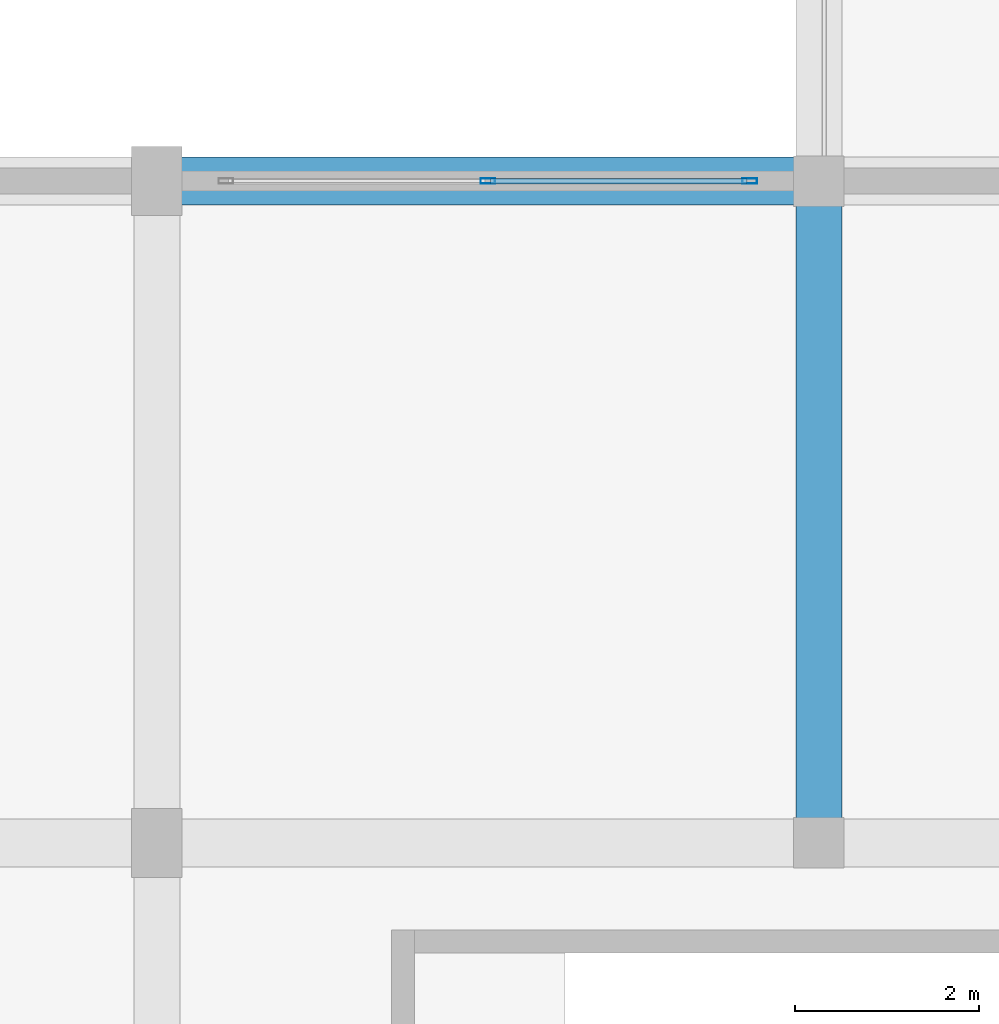
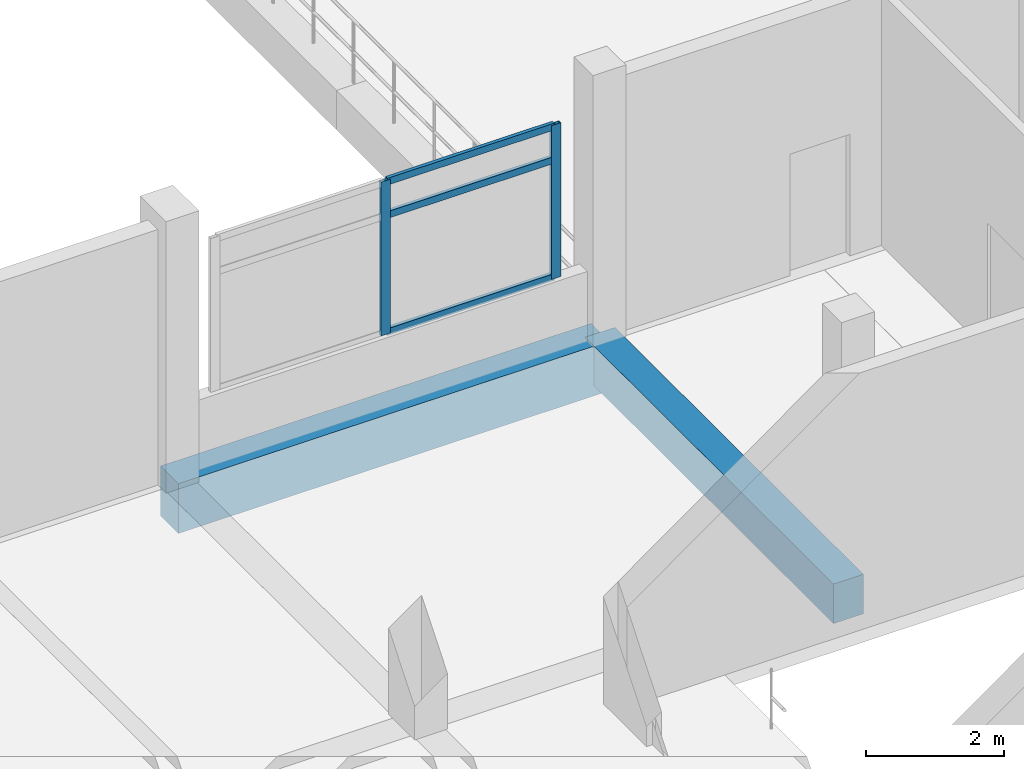
# One storey, part 91 of 140: 5 members, 2 beams, 1 element without a shape of its own.
"""IFC4 building model written with IfcOpenShell, lengths in metres."""

from ifc_helpers import new_model, si_unit, direction, frame, origin, origin_2d, place, context, subcontext, project, spatial, rectangle, hollow_rectangle, extrude, material, layer, layer_set, material_profile, profile_set, type_object, element, aggregate, save


model = new_model("IFC4")

# Units and contexts
model_context = context("Model", 3, precision=1e-05, world=origin(), true_north=direction((0.0, 1.0)))
body_context = subcontext(model_context, "Body", "Model", "MODEL_VIEW")
ifc_project = project(units=[si_unit("LENGTHUNIT", "METRE"), si_unit("AREAUNIT", "SQUARE_METRE"), si_unit("VOLUMEUNIT", "CUBIC_METRE"), si_unit("PLANEANGLEUNIT", "RADIAN"), si_unit("MASSUNIT", "GRAM", prefix="KILO")], contexts=[model_context])

# Site, building, storey
site_placement = place(None, origin())
site = spatial("IfcSite", under=ifc_project, at=site_placement, CompositionType="ELEMENT")
building_placement = place(site_placement, origin())
building = spatial("IfcBuilding", under=site, at=building_placement, Name="Seraya Terrace Polytechnic", CompositionType="ELEMENT")
storey_placement = place(building_placement, frame((0.0, 0.0, 9.60009765625)))
storey = spatial("IfcBuildingStorey", under=building, at=storey_placement, Name="L02", CompositionType="ELEMENT", Elevation=9.60009765625)

# Beams
ifc_material_1 = material(Name="Concrete C40/50", Category="concrete")
ifc_material_profile_1 = material_profile(ifc_material_1, rectangle(XDim=0.52001953125, YDim=0.8798828125, at=origin_2d()), Name="RC 520x880")
ifc_profile_set_1 = profile_set([ifc_material_profile_1], Name="Concrete C40/50")
beam_type_1 = type_object("IfcBeamType", Name="BM-04", PredefinedType="BEAM", material=ifc_profile_set_1)
beam_1_placement = place(storey_placement, frame((136.800048828125, 36.0, -0.440185546875), z_axis=(1.0, 0.0, 0.0), x_axis=(0.0, 1.0, 0.0)))
element("IfcBeam", 1, at=beam_1_placement, inside=storey, type_object=beam_type_1, Name="Beam BM-04 L02 X (136.8..144.0, 36.0)", PredefinedType="BEAM", context=body_context, shape_type="SweptSolid", body=[
    extrude(rectangle(XDim=0.52001953125, YDim=0.8798828125, at=origin_2d()), origin(), (0.0, 0.0, 1.0), 7.199951171875),
])
ifc_material_profile_2 = material_profile(ifc_material_1, rectangle(XDim=0.5, YDim=0.699951171875, at=origin_2d()), Name="RC 500x700")
ifc_profile_set_2 = profile_set([ifc_material_profile_2], Name="Concrete C40/50")
beam_type_2 = type_object("IfcBeamType", Name="BM-07", PredefinedType="BEAM", material=ifc_profile_set_2)
beam_2_placement = place(storey_placement, frame((144.0, 28.800048828125, -0.35009765625), z_axis=(0.0, 1.0, 0.0), x_axis=(-1.0, 0.0, 0.0)))
element("IfcBeam", 2, at=beam_2_placement, inside=storey, type_object=beam_type_2, Name="Beam BM-07 L02 Y (144.0, 28.8..36.0)", PredefinedType="BEAM", context=body_context, shape_type="SweptSolid", body=[
    extrude(rectangle(XDim=0.5, YDim=0.699951171875, at=origin_2d()), origin(), (0.0, 0.0, 1.0), 7.199951171875),
])

# Curtain wall, members
ifc_material_2 = material(Name="Anodised aluminium EN AW-6063 T6", Category="aluminium")
ifc_layer = layer(ifc_material_2, 0.179931640625, Name="CW-29")
ifc_layer_set = layer_set([ifc_layer], Name="Anodised aluminium EN AW-6063 T6")
curtain_wall_type = type_object("IfcCurtainWallType", Name="CW-29", PredefinedType="NOTDEFINED", material=ifc_layer_set)
curtain_wall_placement = place(storey_placement, origin())
curtain_wall = element("IfcCurtainWall", 3, at=curtain_wall_placement, inside=storey, type_object=curtain_wall_type, Name="Unitised curtain wall CW-29 (CW-L02-065)", PredefinedType="NOTDEFINED")
ifc_material_profile_3 = material_profile(ifc_material_2, hollow_rectangle(XDim=0.06005859375, YDim=0.159912109375, WallThickness=0.00341796875, at=origin_2d()), Name="RHS 160x60x3.5")
ifc_profile_set_3 = profile_set([ifc_material_profile_3], Name="Anodised aluminium EN AW-6063 T6")
member_type_1 = type_object("IfcMemberType", Name="CWM-02", PredefinedType="MULLION", material=ifc_profile_set_3)
member_1_placement = place(storey_placement, frame((140.39990234375, 36.0, 1.239990234375), z_axis=(0.0, 0.0, 1.0), x_axis=(0.0, 1.0, 0.0)))
member_1 = element("IfcMember", 4, at=member_1_placement, type_object=member_type_1, Name="CW-29 mullion 2", PredefinedType="MULLION", context=body_context, shape_type="SweptSolid", body=[
    extrude(hollow_rectangle(XDim=0.06005859375, YDim=0.159912109375, WallThickness=0.00341796875, at=origin_2d()), origin(), (0.0, 0.0, 1.0), 2.719970703125),
])
member_2_placement = place(storey_placement, frame((143.25, 36.0, 1.239990234375), z_axis=(0.0, 0.0, 1.0), x_axis=(0.0, 1.0, 0.0)))
member_2 = element("IfcMember", 5, at=member_2_placement, type_object=member_type_1, Name="CW-29 mullion 3", PredefinedType="MULLION", context=body_context, shape_type="SweptSolid", body=[
    extrude(hollow_rectangle(XDim=0.06005859375, YDim=0.159912109375, WallThickness=0.00341796875, at=origin_2d()), origin(), (0.0, 0.0, 1.0), 2.719970703125),
])
ifc_material_profile_4 = material_profile(ifc_material_2, hollow_rectangle(XDim=0.06005859375, YDim=0.1201171875, WallThickness=0.003173828125, at=origin_2d()), Name="RHS 120x60x3.2")
ifc_profile_set_4 = profile_set([ifc_material_profile_4], Name="Anodised aluminium EN AW-6063 T6")
member_type_2 = type_object("IfcMemberType", Name="CWT-02", PredefinedType="USERDEFINED", material=ifc_profile_set_4)
member_3_placement = place(storey_placement, frame((140.429931640625, 36.0, 1.27001953125), z_axis=(1.0, 0.0, 0.0), x_axis=(0.0, 1.0, 0.0)))
member_3 = element("IfcMember", 6, at=member_3_placement, type_object=member_type_2, Name="CW-29 transom 2.1", ObjectType="TRANSOM", PredefinedType="USERDEFINED", context=body_context, shape_type="SweptSolid", body=[
    extrude(hollow_rectangle(XDim=0.06005859375, YDim=0.1201171875, WallThickness=0.003173828125, at=origin_2d()), origin(), (0.0, 0.0, 1.0), 2.7900390625),
])
member_4_placement = place(storey_placement, frame((140.429931640625, 36.0, 3.33984375), z_axis=(1.0, 0.0, 0.0), x_axis=(0.0, 1.0, 0.0)))
member_4 = element("IfcMember", 7, at=member_4_placement, type_object=member_type_2, Name="CW-29 transom 2.2", ObjectType="TRANSOM", PredefinedType="USERDEFINED", context=body_context, shape_type="SweptSolid", body=[
    extrude(hollow_rectangle(XDim=0.06005859375, YDim=0.1201171875, WallThickness=0.003173828125, at=origin_2d()), origin(), (0.0, 0.0, 1.0), 2.7900390625),
])
member_5_placement = place(storey_placement, frame((140.429931640625, 36.0, 3.929931640625), z_axis=(1.0, 0.0, 0.0), x_axis=(0.0, 1.0, 0.0)))
member_5 = element("IfcMember", 8, at=member_5_placement, type_object=member_type_2, Name="CW-29 transom 2.3", ObjectType="TRANSOM", PredefinedType="USERDEFINED", context=body_context, shape_type="SweptSolid", body=[
    extrude(hollow_rectangle(XDim=0.06005859375, YDim=0.1201171875, WallThickness=0.003173828125, at=origin_2d()), origin(), (0.0, 0.0, 1.0), 2.7900390625),
])
aggregate(curtain_wall, [member_1, member_2, member_3, member_4, member_5])

save(model, "model.ifc")
